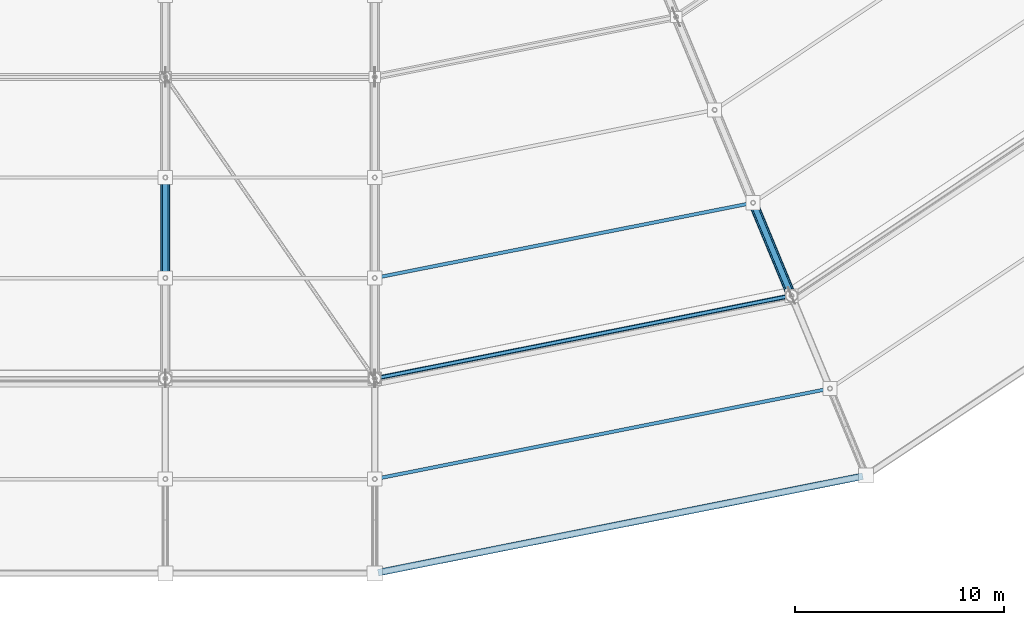
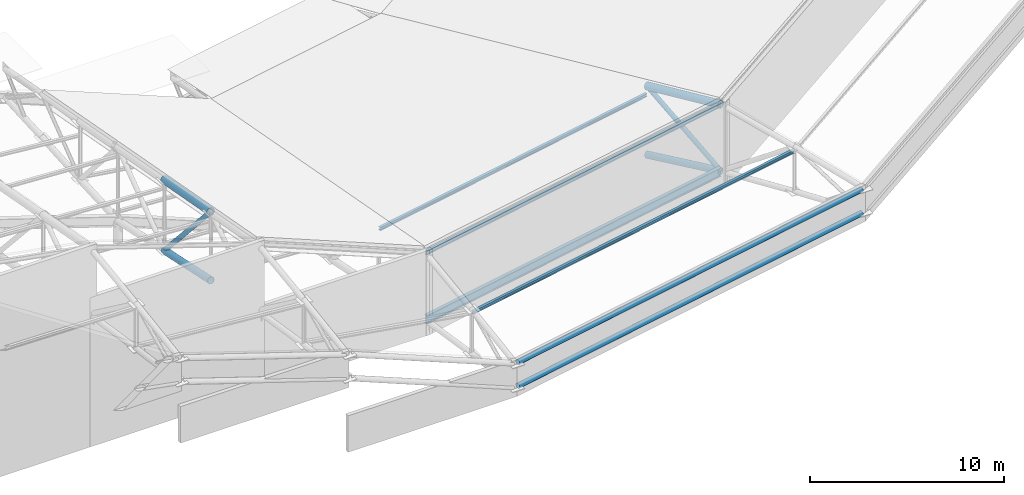
# One storey, part 60 of 146: 10 members, 2 beams.
"""IFC4 building model written with IfcOpenShell, lengths in metres."""

from ifc_helpers import new_model, si_unit, direction, frame, origin, origin_2d, place, context, subcontext, project, spatial, hollow_circle, i_section, extrude, material, material_profile, profile_set, type_object, element, save


model = new_model("IFC4")

# Units and contexts
model_context = context("Model", 3, precision=1e-05, world=origin(), true_north=direction((0.0, 1.0)))
body_context = subcontext(model_context, "Body", "Model", "MODEL_VIEW")
ifc_project = project(units=[si_unit("LENGTHUNIT", "METRE"), si_unit("AREAUNIT", "SQUARE_METRE"), si_unit("VOLUMEUNIT", "CUBIC_METRE"), si_unit("PLANEANGLEUNIT", "RADIAN"), si_unit("MASSUNIT", "GRAM", prefix="KILO")], contexts=[model_context])

# Site, building, storey
site_placement = place(None, origin())
site = spatial("IfcSite", under=ifc_project, at=site_placement, CompositionType="ELEMENT")
building_placement = place(site_placement, origin())
building = spatial("IfcBuilding", under=site, at=building_placement, Name="Candeia Ridge Stadium", CompositionType="ELEMENT")
storey_placement = place(building_placement, frame((0.0, 0.0, 31.800048828125)))
storey = spatial("IfcBuildingStorey", under=building, at=storey_placement, Name="RF", CompositionType="ELEMENT", Elevation=31.800048828125)

# Beams
ifc_material = material(Name="Steel ASTM A572 Grade 50", Category="steel")
ifc_material_profile_1 = material_profile(ifc_material, i_section(OverallWidth=0.14794921875, OverallDepth=0.26611328125, WebThickness=0.007568359375, FlangeThickness=0.012939453125, FilletRadius=0.010986328125, at=origin_2d()), Name="W250x44.8", Category="steel")
ifc_profile_set_1 = profile_set([ifc_material_profile_1], Name="Steel ASTM A572 Grade 50")
beam_type_1 = type_object("IfcBeamType", Name="Canopy Edge Spandrel W250x44.8", PredefinedType="SPANDREL", material=ifc_profile_set_1)
beam_1_placement = place(storey_placement, frame((141.039306640625, 19.0078125, 4.599853515625), z_axis=(0.980785507788, 0.195089178874, 0.0), x_axis=(-0.195089178874, 0.980785507788, 0.0)))
element("IfcBeam", 1, at=beam_1_placement, inside=storey, type_object=beam_type_1, Name="Roof crown cap ring beam bay 26", PredefinedType="SPANDREL", context=body_context, shape_type="SweptSolid", body=[
    extrude(i_section(OverallWidth=0.14794921875, OverallDepth=0.26611328125, WebThickness=0.007568359375, FlangeThickness=0.012939453125, FilletRadius=0.010986328125, at=origin_2d()), origin(), (0.0, 0.0, 1.0), 20.20947265625),
])
ifc_material_profile_2 = material_profile(ifc_material, i_section(OverallWidth=0.2119140625, OverallDepth=0.5439453125, WebThickness=0.01318359375, FlangeThickness=0.021240234375, FilletRadius=0.013916015625, at=origin_2d()), Name="W530x123", Category="steel")
ifc_profile_set_2 = profile_set([ifc_material_profile_2], Name="Steel ASTM A572 Grade 50")
beam_type_2 = type_object("IfcBeamType", Name="Roof Perimeter Ring Beam W530x123", PredefinedType="BEAM", material=ifc_profile_set_2)
beam_2_placement = place(storey_placement, frame((141.039306640625, 19.0078125, 0.39990234375), z_axis=(0.980785507788, 0.195089178874, 0.0), x_axis=(-0.195089178874, 0.980785507788, 0.0)))
element("IfcBeam", 2, at=beam_2_placement, inside=storey, type_object=beam_type_2, Name="Roof perimeter ring beam bay 26", PredefinedType="BEAM", context=body_context, shape_type="SweptSolid", body=[
    extrude(i_section(OverallWidth=0.2119140625, OverallDepth=0.5439453125, WebThickness=0.01318359375, FlangeThickness=0.021240234375, FilletRadius=0.013916015625, at=origin_2d()), origin(), (0.0, 0.0, 1.0), 20.20947265625),
])

# Members
ifc_material_profile_3 = material_profile(ifc_material, i_section(OverallWidth=0.1650390625, OverallDepth=0.200927734375, WebThickness=0.006103515625, FlangeThickness=0.01025390625, FilletRadius=0.010009765625, at=origin_2d()), Name="W200x35.9", Category="steel")
ifc_profile_set_3 = profile_set([ifc_material_profile_3], Name="Steel ASTM A572 Grade 50")
member_type_1 = type_object("IfcMemberType", Name="Roof Purlin W200x35.9", PredefinedType="PURLIN", material=ifc_profile_set_3)
member_1_placement = place(storey_placement, frame((141.049072265625, 23.809814453125, 3.19189453125), z_axis=(0.980786730857, 0.19508302995, 0.0), x_axis=(-0.19508302995, 0.980786730857, 0.0)))
element("IfcMember", 3, at=member_1_placement, inside=storey, type_object=member_type_1, Name="Saddle roof steel purlin bay 26-4", PredefinedType="PURLIN", context=body_context, shape_type="SweptSolid", body=[
    extrude(i_section(OverallWidth=0.1650390625, OverallDepth=0.200927734375, WebThickness=0.006103515625, FlangeThickness=0.01025390625, FilletRadius=0.010009765625, at=origin_2d()), origin(), (0.0, 0.0, 1.0), 18.31640625),
])
member_2_placement = place(storey_placement, frame((141.049072265625, 14.209716796875, 3.73828125), z_axis=(0.980784861231, 0.195092429325, 0.0), x_axis=(-0.195092429325, 0.980784861231, 0.0)))
element("IfcMember", 4, at=member_2_placement, inside=storey, type_object=member_type_1, Name="Saddle roof steel purlin bay 26-5", PredefinedType="PURLIN", context=body_context, shape_type="SweptSolid", body=[
    extrude(i_section(OverallWidth=0.1650390625, OverallDepth=0.200927734375, WebThickness=0.006103515625, FlangeThickness=0.01025390625, FilletRadius=0.010009765625, at=origin_2d()), origin(), (0.0, 0.0, 1.0), 22.062255859375),
])
ifc_material_profile_4 = material_profile(ifc_material, hollow_circle(Radius=0.161865234375, WallThickness=0.012451171875, at=origin_2d()), Name="CHS323x12", Category="steel")
ifc_profile_set_4 = profile_set([ifc_material_profile_4], Name="Steel ASTM A572 Grade 50")
member_type_2 = type_object("IfcMemberType", Name="Roof Truss Eaves Chord CHS323x12", PredefinedType="CHORD", material=ifc_profile_set_4)
for number, where, z_axis, x_axis, name in (
    (5, (141.156982421875, 9.731201171875, 3.281005859375), (0.980785067453, 0.195091392584, 0.0), (-0.195091392584, 0.980785067453, 0.0), "Saddle roof outer eaves top ring chord bay 26"),
    (6, (141.156982421875, 9.731201171875, 1.781005859375), (0.980785067453, 0.195091392584, 0.0), (-0.195091392584, 0.980785067453, 0.0), "Saddle roof outer eaves bottom ring chord bay 26"),
):
    element("IfcMember", number, at=place(storey_placement, frame(where, z_axis=z_axis, x_axis=x_axis)), inside=storey, type_object=member_type_2, Name=name, PredefinedType="CHORD", context=body_context, shape_type="SweptSolid", body=[
        extrude(hollow_circle(Radius=0.161865234375, WallThickness=0.012451171875, at=origin_2d()), origin(), (0.0, 0.0, 1.0), 23.597900390625),
    ])
ifc_material_profile_5 = material_profile(ifc_material, hollow_circle(Radius=0.136474609375, WallThickness=0.010009765625, at=origin_2d()), Name="CHS273x10", Category="steel")
ifc_profile_set_5 = profile_set([ifc_material_profile_5], Name="Steel ASTM A572 Grade 50")
member_type_3 = type_object("IfcMemberType", Name="Roof Truss Heavy Web Brace CHS273x10", PredefinedType="BRACE", material=ifc_profile_set_5)
member_3_placement = place(storey_placement, frame((131.0, 28.60009765625, 2.435791015625), z_axis=(0.0, -0.667487252066, 0.744621224737), x_axis=(1.0, 0.0, 0.0)))
element("IfcMember", 7, at=member_3_placement, inside=storey, type_object=member_type_3, Name="Roof cantilever truss RT-25 diagonal web 5", PredefinedType="BRACE", context=body_context, shape_type="SweptSolid", body=[
    extrude(hollow_circle(Radius=0.136474609375, WallThickness=0.010009765625, at=origin_2d()), origin(), (0.0, 0.0, 1.0), 7.191162109375),
])
member_4_placement = place(storey_placement, frame((159.062744140625, 27.392822265625, 3.7119140625), z_axis=(0.314986065103, -0.760420904644, -0.567929420414), x_axis=(0.923875488976, 0.382693194178, 0.0)))
element("IfcMember", 8, at=member_4_placement, inside=storey, type_object=member_type_3, Name="Roof cantilever truss RT-27 diagonal web 6", PredefinedType="BRACE", context=body_context, shape_type="SweptSolid", body=[
    extrude(hollow_circle(Radius=0.136474609375, WallThickness=0.010009765625, at=origin_2d()), origin(), (0.0, 0.0, 1.0), 5.831787109375),
])
ifc_material_profile_6 = material_profile(ifc_material, hollow_circle(Radius=0.228515625, WallThickness=0.02001953125, at=origin_2d()), Name="CHS457x20", Category="steel")
ifc_profile_set_6 = profile_set([ifc_material_profile_6], Name="Steel ASTM A572 Grade 50")
member_type_4 = type_object("IfcMemberType", Name="Roof Truss Main Chord CHS457x20", PredefinedType="CHORD", material=ifc_profile_set_6)
member_5_placement = place(storey_placement, frame((131.0, 28.60009765625, 6.90234375), z_axis=(0.0, -0.983308195319, 0.181947775524), x_axis=(1.0, 0.0, 0.0)))
element("IfcMember", 9, at=member_5_placement, inside=storey, type_object=member_type_4, Name="Roof cantilever truss RT-25 top chord 5", PredefinedType="CHORD", context=body_context, shape_type="SweptSolid", body=[
    extrude(hollow_circle(Radius=0.228515625, WallThickness=0.02001953125, at=origin_2d()), origin(), (0.0, 0.0, 1.0), 4.881591796875),
])
member_6_placement = place(storey_placement, frame((159.062744140625, 27.392822265625, 3.7119140625), z_axis=(0.376308561394, -0.908462082556, 0.181902477112), x_axis=(0.923875488976, 0.382693194178, 0.0)))
element("IfcMember", 10, at=member_6_placement, inside=storey, type_object=member_type_4, Name="Roof cantilever truss RT-27 top chord 6", PredefinedType="CHORD", context=body_context, shape_type="SweptSolid", body=[
    extrude(hollow_circle(Radius=0.228515625, WallThickness=0.02001953125, at=origin_2d()), origin(), (0.0, 0.0, 1.0), 4.88134765625),
])
ifc_material_profile_7 = material_profile(ifc_material, hollow_circle(Radius=0.202880859375, WallThickness=0.01611328125, at=origin_2d()), Name="CHS406x16", Category="steel")
ifc_profile_set_7 = profile_set([ifc_material_profile_7], Name="Steel ASTM A572 Grade 50")
member_type_5 = type_object("IfcMemberType", Name="Roof Truss Outer Chord CHS406x16", PredefinedType="CHORD", material=ifc_profile_set_7)
for number, where, z_axis, x_axis, name in (
    (11, (131.0, 28.60009765625, 2.435791015625), (0.0, -0.97810786804, 0.208098530696), (1.0, 0.0, 0.0), "Roof cantilever truss RT-25 bottom chord 5"),
    (12, (159.062744140625, 27.392822265625, -0.621337890625), (0.374314942278, -0.903649204085, 0.208101994092), (0.923875488976, 0.382693194178, 0.0), "Roof cantilever truss RT-27 bottom chord 6"),
):
    element("IfcMember", number, at=place(storey_placement, frame(where, z_axis=z_axis, x_axis=x_axis)), inside=storey, type_object=member_type_5, Name=name, PredefinedType="CHORD", context=body_context, shape_type="SweptSolid", body=[
        extrude(hollow_circle(Radius=0.202880859375, WallThickness=0.01611328125, at=origin_2d()), origin(), (0.0, 0.0, 1.0), 4.907470703125),
    ])

save(model, "model.ifc")
